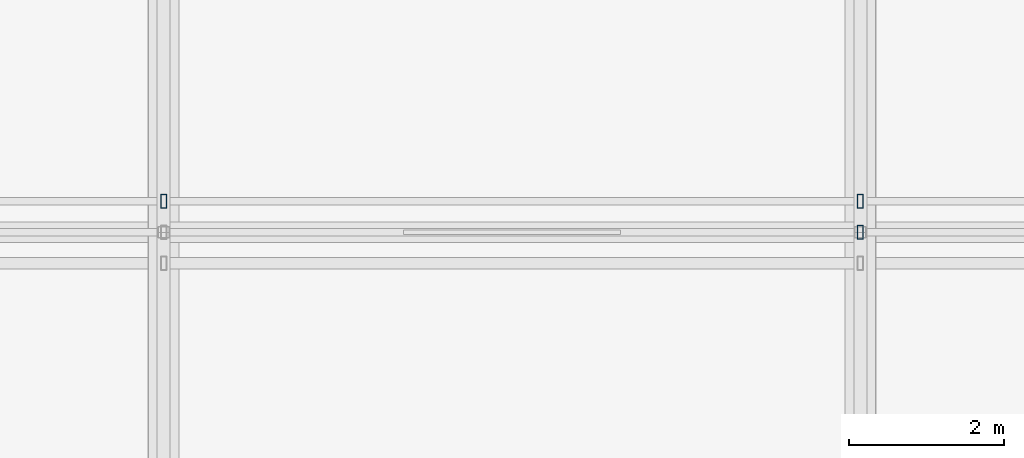
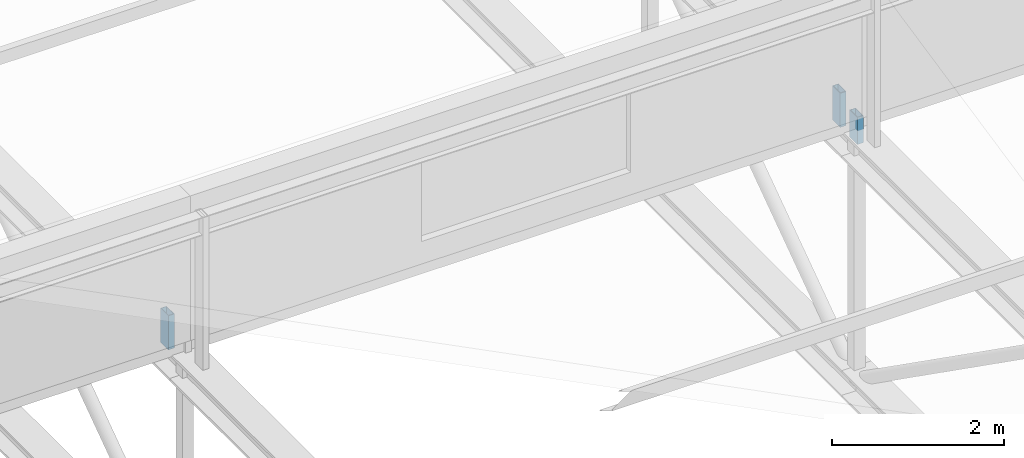
# One storey, part 82 of 136: 3 members.
"""IFC4 building model written with IfcOpenShell, lengths in metres."""

from ifc_helpers import new_model, si_unit, direction, frame, origin, origin_2d, place, context, subcontext, project, spatial, hollow_rectangle, extrude, material, material_profile, profile_set, type_object, element, save


model = new_model("IFC4")

# Units and contexts
model_context = context("Model", 3, precision=1e-05, world=origin(), true_north=direction((0.0, 1.0)))
body_context = subcontext(model_context, "Body", "Model", "MODEL_VIEW")
ifc_project = project(units=[si_unit("LENGTHUNIT", "METRE"), si_unit("AREAUNIT", "SQUARE_METRE"), si_unit("VOLUMEUNIT", "CUBIC_METRE"), si_unit("PLANEANGLEUNIT", "RADIAN"), si_unit("MASSUNIT", "GRAM", prefix="KILO")], contexts=[model_context])

# Site, building, storey
site_placement = place(None, origin())
site = spatial("IfcSite", under=ifc_project, at=site_placement, CompositionType="ELEMENT")
building_placement = place(site_placement, origin())
building = spatial("IfcBuilding", under=site, at=building_placement, Name="Kisiwana Market Hall", CompositionType="ELEMENT")
storey_placement = place(building_placement, frame((0.0, 0.0, 16.800048828125)))
storey = spatial("IfcBuildingStorey", under=building, at=storey_placement, Name="L03", CompositionType="ELEMENT", Elevation=16.800048828125)

# Members
ifc_material = material(Name="Steel S355", Category="steel")
ifc_material_profile = material_profile(ifc_material, hollow_rectangle(XDim=0.080078125, YDim=0.179931640625, WallThickness=0.00634765625, at=origin_2d()), Name="RHS 180x80x6.3")
ifc_profile_set = profile_set([ifc_material_profile], Name="Steel S355")
member_type = type_object("IfcMemberType", Name="MB-CAN-STRUT", PredefinedType="STRUT", material=ifc_profile_set)
member_placement = place(storey_placement, frame((117.0, 55.199951171875, 3.619873046875), z_axis=(0.0, 0.0, 1.0), x_axis=(1.0, 0.0, 0.0)))
element("IfcMember", 1, at=member_placement, inside=storey, type_object=member_type, Name="Sawtooth raker post 215 M-0265", PredefinedType="STRUT", context=body_context, shape_type="SweptSolid", body=[
    extrude(hollow_rectangle(XDim=0.080078125, YDim=0.179931640625, WallThickness=0.00634765625, at=origin_2d()), origin(), (0.0, 0.0, 1.0), 0.385009765625),
])
for number, where, z_axis, x_axis, name in (
    (2, (108.0, 55.60009765625, 3.619873046875), (0.0, 0.0, 1.0), (1.0, 0.0, 0.0), "Sawtooth raker post 255 M-0284"),
    (3, (117.0, 55.60009765625, 3.619873046875), (0.0, 0.0, 1.0), (1.0, 0.0, 0.0), "Sawtooth raker post 258 M-0287"),
):
    element("IfcMember", number, at=place(storey_placement, frame(where, z_axis=z_axis, x_axis=x_axis)), inside=storey, type_object=member_type, Name=name, PredefinedType="STRUT", context=body_context, shape_type="SweptSolid", body=[
        extrude(hollow_rectangle(XDim=0.080078125, YDim=0.179931640625, WallThickness=0.00634765625, at=origin_2d()), origin(), (0.0, 0.0, 1.0), 0.485107421875),
    ])

save(model, "model.ifc")
